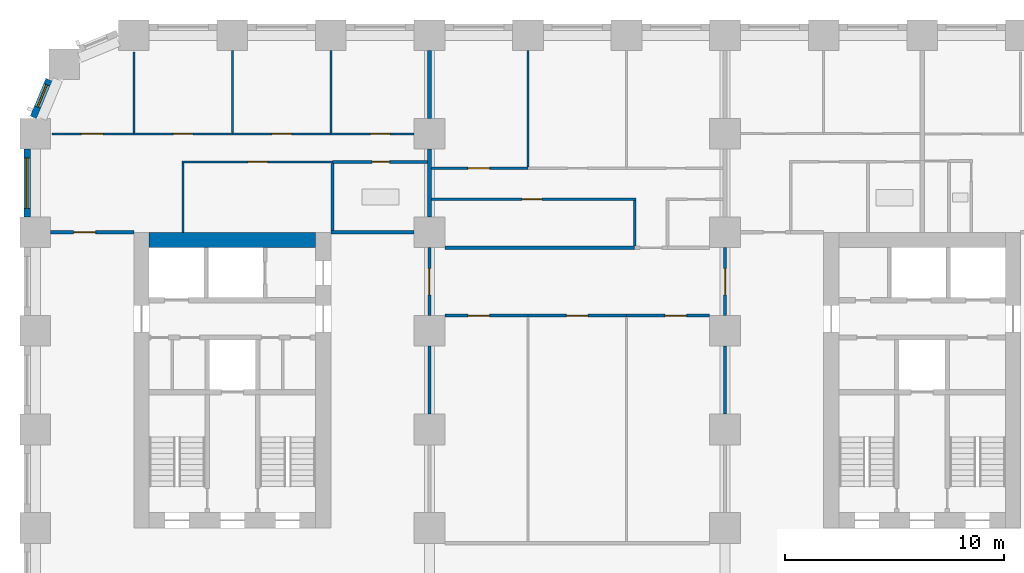
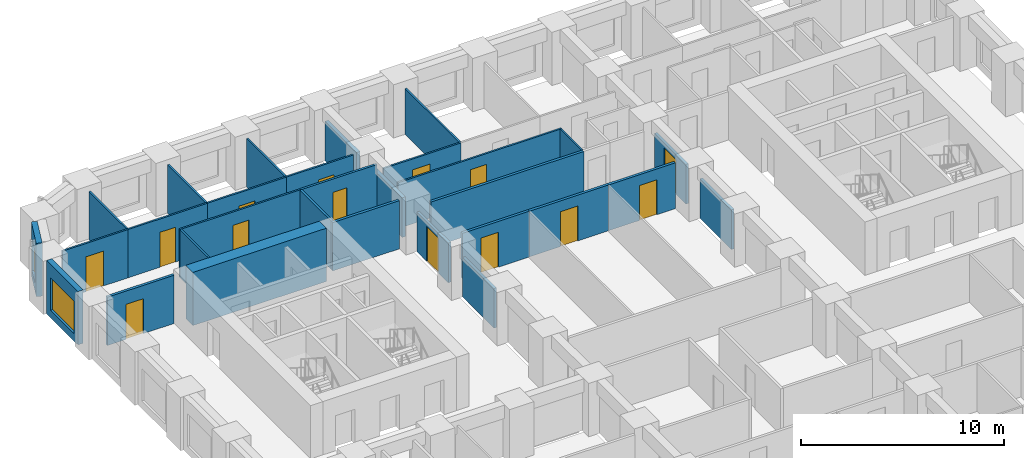
# One storey, part 7 of 13: 30 walls, 14 doors, 2 windows, 16 openings.
"""IFC4 building model written with IfcOpenShell, lengths in metres."""

from ifc_helpers import new_model, si_unit, direction, frame, frame_2d, origin, place, context, subcontext, project, spatial, rectangle, extrude, material, layer, layer_set, type_object, element, fill, save


model = new_model("IFC4")

# Units and contexts
model_context = context("Model", 3, precision=1e-05, world=origin(), true_north=direction((0.0, 1.0)))
body_context = subcontext(model_context, "Body", "Model", "MODEL_VIEW")
ifc_project = project(units=[si_unit("LENGTHUNIT", "METRE"), si_unit("AREAUNIT", "SQUARE_METRE"), si_unit("VOLUMEUNIT", "CUBIC_METRE"), si_unit("PLANEANGLEUNIT", "RADIAN"), si_unit("MASSUNIT", "GRAM", prefix="KILO")], contexts=[model_context])

# Site, building, storey
site_placement = place(None, origin())
site = spatial("IfcSite", under=ifc_project, at=site_placement, CompositionType="ELEMENT")
building_placement = place(site_placement, origin())
building = spatial("IfcBuilding", under=site, at=building_placement, Name="Girih Gate Residences", CompositionType="ELEMENT")
storey_placement = place(building_placement, frame((0.0, 0.0, 46.39990234375)))
storey = spatial("IfcBuildingStorey", under=building, at=storey_placement, Name="L11", CompositionType="ELEMENT", Elevation=46.39990234375)

# Wall
ifc_material_1 = material(Name="Gypsum board on steel studs", Category="steel")
ifc_layer_1 = layer(ifc_material_1, 0.14990234375)
ifc_layer_set_1 = layer_set([ifc_layer_1], Name="Compartment wall 150 mm")
wall_type_1 = type_object("IfcWallType", Name="Compartment wall 150 mm", PredefinedType="PARTITIONING", material=ifc_layer_set_1)
wall_1_placement = place(storey_placement, frame((13.5107421875, 40.5, 0.0), z_axis=(0.0, 0.0, 1.0), x_axis=(1.0, 0.0, 0.0)))
element("IfcWall", 1, at=wall_1_placement, inside=storey, type_object=wall_type_1, Name="L11 partition", PredefinedType="PARTITIONING", context=body_context, shape_type="SweptSolid", body=[
    extrude(rectangle(XDim=3.789306640625, YDim=0.14990234375, at=frame_2d((1.89453125, 0.0))), origin(), (0.0, 0.0, 1.0), 2.900146484375),
])

# Wall, opening, door
wall_2_placement = place(storey_placement, frame((0.699951171875, 40.5, 0.0), z_axis=(0.0, 0.0, 1.0), x_axis=(1.0, 0.0, 0.0)))
wall_2 = element("IfcWall", 2, at=wall_2_placement, inside=storey, type_object=wall_type_1, Name="L11 partition", PredefinedType="PARTITIONING", context=body_context, shape_type="SweptSolid", body=[
    extrude(rectangle(XDim=3.800048828125, YDim=0.14990234375, at=frame_2d((1.89990234375, 0.0))), origin(), (0.0, 0.0, 1.0), 2.900146484375),
])
opening_1_placement = place(wall_2_placement, frame((1.050048828125, 0.0, 0.0)))
opening_1 = element("IfcOpeningElement", 3, at=opening_1_placement, cuts=wall_2, Name="Opening A11-017", PredefinedType="OPENING", context=body_context, shape_type="SweptSolid", body=[
    extrude(rectangle(XDim=1.0, YDim=2.10009765625, at=frame_2d((0.5, 1.050048828125))), frame((0.0, 0.0849609375, 0.0), z_axis=(0.0, -1.0, 0.0), x_axis=(1.0, 0.0, 0.0)), (0.0, 0.0, 1.0), 0.169921875),
])
ifc_material_2 = material(Name="Timber, fire-rated core", Category="wood")
door_type_1 = type_object("IfcDoorType", Name="Flat entrance door 1000x2100 FD30S", OperationType="NOTDEFINED", PredefinedType="DOOR", material=ifc_material_2)
door_1_placement = place(opening_1_placement, origin())
door_1 = element("IfcDoor", 4, at=door_1_placement, inside=storey, type_object=door_type_1, Name="Door A11-017", OperationType="SINGLE_SWING_LEFT", OverallHeight=2.10009765625, OverallWidth=1.0, PredefinedType="DOOR", context=body_context, shape_type="SweptSolid", body=[
    extrude(rectangle(XDim=1.0, YDim=2.10009765625, at=frame_2d((0.5, 1.050048828125))), frame((0.0, 0.02490234375, 0.0), z_axis=(0.0, -1.0, 0.0), x_axis=(1.0, 0.0, 0.0)), (0.0, 0.0, 1.0), 0.050048828125),
])
fill(opening_1, door_1)

# Wall
wall_3_placement = place(storey_placement, frame((18.699951171875, 39.800048828125, 0.0), z_axis=(0.0, 0.0, 1.0), x_axis=(1.0, 0.0, 0.0)))
element("IfcWall", 5, at=wall_3_placement, inside=storey, type_object=wall_type_1, Name="L11 partition", PredefinedType="PARTITIONING", context=body_context, shape_type="SweptSolid", body=[
    extrude(rectangle(XDim=8.675048828125, YDim=0.14990234375, at=frame_2d((4.33740234375, 0.0))), origin(), (0.0, 0.0, 1.0), 2.75),
])

# Wall, opening, door
wall_4_placement = place(storey_placement, frame((22.5, 36.699951171875, 0.0), z_axis=(0.0, 0.0, 1.0), x_axis=(-1.0, 0.0, 0.0)))
wall_4 = element("IfcWall", 6, at=wall_4_placement, inside=storey, type_object=wall_type_1, Name="L11 partition", PredefinedType="PARTITIONING", context=body_context, shape_type="SweptSolid", body=[
    extrude(rectangle(XDim=3.800048828125, YDim=0.14990234375, at=frame_2d((1.89990234375, 0.0))), origin(), (0.0, 0.0, 1.0), 2.75),
])
opening_2_placement = place(wall_4_placement, frame((1.75, 0.0, 0.0)))
opening_2 = element("IfcOpeningElement", 7, at=opening_2_placement, cuts=wall_4, Name="Opening A11-044", PredefinedType="OPENING", context=body_context, shape_type="SweptSolid", body=[
    extrude(rectangle(XDim=1.0, YDim=2.10009765625, at=frame_2d((0.5, 1.050048828125))), frame((0.0, 0.0849609375, 0.0), z_axis=(0.0, -1.0, 0.0), x_axis=(1.0, 0.0, 0.0)), (0.0, 0.0, 1.0), 0.169921875),
])
door_type_2 = type_object("IfcDoorType", Name="Amenity room door 1000x2100 FD30S", OperationType="NOTDEFINED", PredefinedType="DOOR", material=ifc_material_2)
door_2_placement = place(opening_2_placement, origin())
door_2 = element("IfcDoor", 8, at=door_2_placement, inside=storey, type_object=door_type_2, Name="Door A11-044", OperationType="SINGLE_SWING_RIGHT", OverallHeight=2.10009765625, OverallWidth=1.0, PredefinedType="DOOR", context=body_context, shape_type="SweptSolid", body=[
    extrude(rectangle(XDim=1.0, YDim=2.10009765625, at=frame_2d((0.5, 1.050048828125))), frame((0.0, 0.02490234375, 0.0), z_axis=(0.0, -1.0, 0.0), x_axis=(1.0, 0.0, 0.0)), (0.0, 0.0, 1.0), 0.050048828125),
])
fill(opening_2, door_2)

wall_5_placement = place(storey_placement, frame((27.0, 36.699951171875, 0.0), z_axis=(0.0, 0.0, 1.0), x_axis=(-1.0, 0.0, 0.0)))
wall_5 = element("IfcWall", 9, at=wall_5_placement, inside=storey, type_object=wall_type_1, Name="L11 partition", PredefinedType="PARTITIONING", context=body_context, shape_type="SweptSolid", body=[
    extrude(rectangle(XDim=4.5, YDim=0.14990234375, at=frame_2d((2.25, 0.0))), origin(), (0.0, 0.0, 1.0), 2.75),
])
opening_3_placement = place(wall_5_placement, frame((1.75, 0.0, 0.0)))
opening_3 = element("IfcOpeningElement", 10, at=opening_3_placement, cuts=wall_5, Name="Opening A11-045", PredefinedType="OPENING", context=body_context, shape_type="SweptSolid", body=[
    extrude(rectangle(XDim=1.0, YDim=2.10009765625, at=frame_2d((0.5, 1.050048828125))), frame((0.0, 0.0849609375, 0.0), z_axis=(0.0, -1.0, 0.0), x_axis=(1.0, 0.0, 0.0)), (0.0, 0.0, 1.0), 0.169921875),
])
door_3_placement = place(opening_3_placement, origin())
door_3 = element("IfcDoor", 11, at=door_3_placement, inside=storey, type_object=door_type_2, Name="Door A11-045", OperationType="SINGLE_SWING_RIGHT", OverallHeight=2.10009765625, OverallWidth=1.0, PredefinedType="DOOR", context=body_context, shape_type="SweptSolid", body=[
    extrude(rectangle(XDim=1.0, YDim=2.10009765625, at=frame_2d((0.5, 1.050048828125))), frame((0.0, 0.02490234375, 0.0), z_axis=(0.0, -1.0, 0.0), x_axis=(1.0, 0.0, 0.0)), (0.0, 0.0, 1.0), 0.050048828125),
])
fill(opening_3, door_3)

wall_6_placement = place(storey_placement, frame((30.800048828125, 36.699951171875, 0.0), z_axis=(0.0, 0.0, 1.0), x_axis=(-1.0, 0.0, 0.0)))
wall_6 = element("IfcWall", 12, at=wall_6_placement, inside=storey, type_object=wall_type_1, Name="L11 partition", PredefinedType="PARTITIONING", context=body_context, shape_type="SweptSolid", body=[
    extrude(rectangle(XDim=3.800048828125, YDim=0.14990234375, at=frame_2d((1.89990234375, 0.0))), origin(), (0.0, 0.0, 1.0), 2.75),
])
opening_4_placement = place(wall_6_placement, frame((1.050048828125, 0.0, 0.0)))
opening_4 = element("IfcOpeningElement", 13, at=opening_4_placement, cuts=wall_6, Name="Opening A11-046", PredefinedType="OPENING", context=body_context, shape_type="SweptSolid", body=[
    extrude(rectangle(XDim=1.0, YDim=2.10009765625, at=frame_2d((0.5, 1.050048828125))), frame((0.0, 0.0849609375, 0.0), z_axis=(0.0, -1.0, 0.0), x_axis=(1.0, 0.0, 0.0)), (0.0, 0.0, 1.0), 0.169921875),
])
door_4_placement = place(opening_4_placement, origin())
door_4 = element("IfcDoor", 14, at=door_4_placement, inside=storey, type_object=door_type_2, Name="Door A11-046", OperationType="SINGLE_SWING_LEFT", OverallHeight=2.10009765625, OverallWidth=1.0, PredefinedType="DOOR", context=body_context, shape_type="SweptSolid", body=[
    extrude(rectangle(XDim=1.0, YDim=2.10009765625, at=frame_2d((0.5, 1.050048828125))), frame((0.0, 0.02490234375, 0.0), z_axis=(0.0, -1.0, 0.0), x_axis=(1.0, 0.0, 0.0)), (0.0, 0.0, 1.0), 0.050048828125),
])
fill(opening_4, door_4)

wall_7_placement = place(storey_placement, frame((31.5, 36.699951171875, 0.0), z_axis=(0.0, 0.0, 1.0), x_axis=(0.0, 1.0, 0.0)))
wall_7 = element("IfcWall", 15, at=wall_7_placement, inside=storey, type_object=wall_type_1, Name="L11 partition", PredefinedType="PARTITIONING", context=body_context, shape_type="SweptSolid", body=[
    extrude(rectangle(XDim=3.10009765625, YDim=0.14990234375, at=frame_2d((1.550048828125, 0.0))), origin(), (0.0, 0.0, 1.0), 2.380126953125),
])
opening_5_placement = place(wall_7_placement, frame((0.949951171875, 0.0, 0.0)))
opening_5 = element("IfcOpeningElement", 16, at=opening_5_placement, cuts=wall_7, Name="Opening A11-047", PredefinedType="OPENING", context=body_context, shape_type="SweptSolid", body=[
    extrude(rectangle(XDim=1.199951171875, YDim=2.10009765625, at=frame_2d((0.60009765625, 1.050048828125))), frame((0.0, 0.0849609375, 0.0), z_axis=(0.0, -1.0, 0.0), x_axis=(1.0, 0.0, 0.0)), (0.0, 0.0, 1.0), 0.169921875),
])
door_type_3 = type_object("IfcDoorType", Name="Corridor fire door 1200x2100 FD30S", OperationType="NOTDEFINED", PredefinedType="DOOR", material=ifc_material_2)
door_5_placement = place(opening_5_placement, origin())
door_5 = element("IfcDoor", 17, at=door_5_placement, inside=storey, type_object=door_type_3, Name="Door A11-047", OperationType="SINGLE_SWING_LEFT", OverallHeight=2.10009765625, OverallWidth=1.199951171875, PredefinedType="DOOR", context=body_context, shape_type="SweptSolid", body=[
    extrude(rectangle(XDim=1.199951171875, YDim=2.10009765625, at=frame_2d((0.60009765625, 1.050048828125))), frame((0.0, 0.02490234375, 0.0), z_axis=(0.0, -1.0, 0.0), x_axis=(1.0, 0.0, 0.0)), (0.0, 0.0, 1.0), 0.050048828125),
])
fill(opening_5, door_5)

wall_8_placement = place(storey_placement, frame((18.0, 39.800048828125, 0.0), z_axis=(0.0, 0.0, 1.0), x_axis=(0.0, -1.0, 0.0)))
wall_8 = element("IfcWall", 18, at=wall_8_placement, inside=storey, type_object=wall_type_1, Name="L11 partition", PredefinedType="PARTITIONING", context=body_context, shape_type="SweptSolid", body=[
    extrude(rectangle(XDim=3.10009765625, YDim=0.14990234375, at=frame_2d((1.550048828125, 0.0))), origin(), (0.0, 0.0, 1.0), 2.380126953125),
])
opening_6_placement = place(wall_8_placement, frame((0.949951171875, 0.0, 0.0)))
opening_6 = element("IfcOpeningElement", 19, at=opening_6_placement, cuts=wall_8, Name="Opening A11-048", PredefinedType="OPENING", context=body_context, shape_type="SweptSolid", body=[
    extrude(rectangle(XDim=1.199951171875, YDim=2.10009765625, at=frame_2d((0.60009765625, 1.050048828125))), frame((0.0, 0.0849609375, 0.0), z_axis=(0.0, -1.0, 0.0), x_axis=(1.0, 0.0, 0.0)), (0.0, 0.0, 1.0), 0.169921875),
])
door_6_placement = place(opening_6_placement, origin())
door_6 = element("IfcDoor", 20, at=door_6_placement, inside=storey, type_object=door_type_3, Name="Door A11-048", OperationType="SINGLE_SWING_LEFT", OverallHeight=2.10009765625, OverallWidth=1.199951171875, PredefinedType="DOOR", context=body_context, shape_type="SweptSolid", body=[
    extrude(rectangle(XDim=1.199951171875, YDim=2.10009765625, at=frame_2d((0.60009765625, 1.050048828125))), frame((0.0, 0.02490234375, 0.0), z_axis=(0.0, -1.0, 0.0), x_axis=(1.0, 0.0, 0.0)), (0.0, 0.0, 1.0), 0.050048828125),
])
fill(opening_6, door_6)

# Walls
for number, where, z_axis, x_axis, name in (
    (21, (18.0, 32.199951171875, 0.0), (0.0, 0.0, 1.0), (0.0, 1.0, 0.0), "L11 partition"),
    (22, (31.5, 32.199951171875, 0.0), (0.0, 0.0, 1.0), (0.0, 1.0, 0.0), "L11 partition"),
):
    element("IfcWall", number, at=place(storey_placement, frame(where, z_axis=z_axis, x_axis=x_axis)), inside=storey, type_object=wall_type_1, Name=name, PredefinedType="PARTITIONING", context=body_context, shape_type="SweptSolid", body=[
        extrude(rectangle(XDim=3.10009765625, YDim=0.14990234375, at=frame_2d((1.550048828125, 0.0))), origin(), (0.0, 0.0, 1.0), 2.380126953125),
    ])
ifc_material_3 = material(Name="Concrete C60/75", Category="concrete")
ifc_layer_2 = layer(ifc_material_3, 0.699951171875)
ifc_layer_set_2 = layer_set([ifc_layer_2], Name="Core wall RC 700 Concrete C60/75")
wall_type_2 = type_object("IfcWallType", Name="Core wall RC 700 Concrete C60/75", PredefinedType="SOLIDWALL", material=ifc_layer_set_2)
wall_9_placement = place(storey_placement, frame((5.199951171875, 40.14990234375, 0.0), z_axis=(0.0, 0.0, 1.0), x_axis=(1.0, 0.0, 0.0)))
element("IfcWall", 23, at=wall_9_placement, inside=storey, type_object=wall_type_2, Name="Core wall W-N L11", PredefinedType="SOLIDWALL", context=body_context, shape_type="SweptSolid", body=[
    extrude(rectangle(XDim=7.60009765625, YDim=0.699951171875, at=frame_2d((3.800048828125, 0.0))), origin(), (0.0, 0.0, 1.0), 3.2001953125),
])
ifc_layer_3 = layer(ifc_material_1, 0.10009765625)
ifc_layer_set_3 = layer_set([ifc_layer_3], Name="Partition 100 mm")
wall_type_3 = type_object("IfcWallType", Name="Partition 100 mm", PredefinedType="PARTITIONING", material=ifc_layer_set_3)
wall_10_placement = place(storey_placement, frame((9.0, 45.050048828125, 0.0), z_axis=(0.0, 0.0, 1.0), x_axis=(0.0, 1.0, 0.0)))
element("IfcWall", 24, at=wall_10_placement, inside=storey, type_object=wall_type_3, Name="L11 partition", PredefinedType="PARTITIONING", context=body_context, shape_type="SweptSolid", body=[
    extrude(rectangle(XDim=3.75, YDim=0.10009765625, at=frame_2d((1.875, 0.0))), origin(), (0.0, 0.0, 1.0), 2.900146484375),
])

# Wall, opening, door
wall_11_placement = place(storey_placement, frame((4.5, 45.0, 0.0), z_axis=(0.0, 0.0, 1.0), x_axis=(1.0, 0.0, 0.0)))
wall_11 = element("IfcWall", 25, at=wall_11_placement, inside=storey, type_object=wall_type_3, Name="L11 partition", PredefinedType="PARTITIONING", context=body_context, shape_type="SweptSolid", body=[
    extrude(rectangle(XDim=4.5, YDim=0.10009765625, at=frame_2d((2.25, 0.0))), origin(), (0.0, 0.0, 1.0), 2.900146484375),
])
opening_7_placement = place(wall_11_placement, frame((1.800048828125, 0.0, 0.0)))
opening_7 = element("IfcOpeningElement", 26, at=opening_7_placement, cuts=wall_11, Name="Opening A11-012", PredefinedType="OPENING", context=body_context, shape_type="SweptSolid", body=[
    extrude(rectangle(XDim=0.89990234375, YDim=2.10009765625, at=frame_2d((0.449951171875, 1.050048828125))), frame((0.0, 0.06005859375, 0.0), z_axis=(0.0, -1.0, 0.0), x_axis=(1.0, 0.0, 0.0)), (0.0, 0.0, 1.0), 0.1201171875),
])
ifc_material_4 = material(Name="Timber", Category="wood")
door_type_4 = type_object("IfcDoorType", Name="Bedroom door 900x2100", OperationType="NOTDEFINED", PredefinedType="DOOR", material=ifc_material_4)
door_7_placement = place(opening_7_placement, origin())
door_7 = element("IfcDoor", 27, at=door_7_placement, inside=storey, type_object=door_type_4, Name="Door A11-012", OperationType="SINGLE_SWING_RIGHT", OverallHeight=2.10009765625, OverallWidth=0.89990234375, PredefinedType="DOOR", context=body_context, shape_type="SweptSolid", body=[
    extrude(rectangle(XDim=0.89990234375, YDim=2.10009765625, at=frame_2d((0.449951171875, 1.050048828125))), frame((0.0, 0.02490234375, 0.0), z_axis=(0.0, -1.0, 0.0), x_axis=(1.0, 0.0, 0.0)), (0.0, 0.0, 1.0), 0.050048828125),
])
fill(opening_7, door_7)

# Walls
wall_12_placement = place(storey_placement, frame((4.5, 45.050048828125, 0.0), z_axis=(0.0, 0.0, 1.0), x_axis=(0.0, 1.0, 0.0)))
element("IfcWall", 28, at=wall_12_placement, inside=storey, type_object=wall_type_3, Name="L11 partition", PredefinedType="PARTITIONING", context=body_context, shape_type="SweptSolid", body=[
    extrude(rectangle(XDim=3.6923828125, YDim=0.10009765625, at=frame_2d((1.84619140625, 0.0))), origin(), (0.0, 0.0, 1.0), 2.900146484375),
])
wall_13_placement = place(storey_placement, frame((13.5, 45.050048828125, 0.0), z_axis=(0.0, 0.0, 1.0), x_axis=(0.0, 1.0, 0.0)))
element("IfcWall", 29, at=wall_13_placement, inside=storey, type_object=wall_type_3, Name="L11 partition", PredefinedType="PARTITIONING", context=body_context, shape_type="SweptSolid", body=[
    extrude(rectangle(XDim=3.75, YDim=0.10009765625, at=frame_2d((1.875, 0.0))), origin(), (0.0, 0.0, 1.0), 2.900146484375),
])

# Wall, opening, door
wall_14_placement = place(storey_placement, frame((9.0, 45.0, 0.0), z_axis=(0.0, 0.0, 1.0), x_axis=(1.0, 0.0, 0.0)))
wall_14 = element("IfcWall", 30, at=wall_14_placement, inside=storey, type_object=wall_type_3, Name="L11 partition", PredefinedType="PARTITIONING", context=body_context, shape_type="SweptSolid", body=[
    extrude(rectangle(XDim=4.5, YDim=0.10009765625, at=frame_2d((2.25, 0.0))), origin(), (0.0, 0.0, 1.0), 2.900146484375),
])
opening_8_placement = place(wall_14_placement, frame((1.800048828125, 0.0, 0.0)))
opening_8 = element("IfcOpeningElement", 31, at=opening_8_placement, cuts=wall_14, Name="Opening A11-013", PredefinedType="OPENING", context=body_context, shape_type="SweptSolid", body=[
    extrude(rectangle(XDim=0.89990234375, YDim=2.10009765625, at=frame_2d((0.449951171875, 1.050048828125))), frame((0.0, 0.06005859375, 0.0), z_axis=(0.0, -1.0, 0.0), x_axis=(1.0, 0.0, 0.0)), (0.0, 0.0, 1.0), 0.1201171875),
])
door_8_placement = place(opening_8_placement, origin())
door_8 = element("IfcDoor", 32, at=door_8_placement, inside=storey, type_object=door_type_4, Name="Door A11-013", OperationType="SINGLE_SWING_LEFT", OverallHeight=2.10009765625, OverallWidth=0.89990234375, PredefinedType="DOOR", context=body_context, shape_type="SweptSolid", body=[
    extrude(rectangle(XDim=0.89990234375, YDim=2.10009765625, at=frame_2d((0.449951171875, 1.050048828125))), frame((0.0, 0.02490234375, 0.0), z_axis=(0.0, -1.0, 0.0), x_axis=(1.0, 0.0, 0.0)), (0.0, 0.0, 1.0), 0.050048828125),
])
fill(opening_8, door_8)

wall_15_placement = place(storey_placement, frame((13.5, 45.0, 0.0), z_axis=(0.0, 0.0, 1.0), x_axis=(1.0, 0.0, 0.0)))
wall_15 = element("IfcWall", 33, at=wall_15_placement, inside=storey, type_object=wall_type_3, Name="L11 partition", PredefinedType="PARTITIONING", context=body_context, shape_type="SweptSolid", body=[
    extrude(rectangle(XDim=3.800048828125, YDim=0.10009765625, at=frame_2d((1.89990234375, 0.0))), origin(), (0.0, 0.0, 1.0), 2.900146484375),
])
opening_9_placement = place(wall_15_placement, frame((1.800048828125, 0.0, 0.0)))
opening_9 = element("IfcOpeningElement", 34, at=opening_9_placement, cuts=wall_15, Name="Opening A11-014", PredefinedType="OPENING", context=body_context, shape_type="SweptSolid", body=[
    extrude(rectangle(XDim=0.89990234375, YDim=2.10009765625, at=frame_2d((0.449951171875, 1.050048828125))), frame((0.0, 0.06005859375, 0.0), z_axis=(0.0, -1.0, 0.0), x_axis=(1.0, 0.0, 0.0)), (0.0, 0.0, 1.0), 0.1201171875),
])
door_9_placement = place(opening_9_placement, origin())
door_9 = element("IfcDoor", 35, at=door_9_placement, inside=storey, type_object=door_type_4, Name="Door A11-014", OperationType="SINGLE_SWING_RIGHT", OverallHeight=2.10009765625, OverallWidth=0.89990234375, PredefinedType="DOOR", context=body_context, shape_type="SweptSolid", body=[
    extrude(rectangle(XDim=0.89990234375, YDim=2.10009765625, at=frame_2d((0.449951171875, 1.050048828125))), frame((0.0, 0.02490234375, 0.0), z_axis=(0.0, -1.0, 0.0), x_axis=(1.0, 0.0, 0.0)), (0.0, 0.0, 1.0), 0.050048828125),
])
fill(opening_9, door_9)

wall_16_placement = place(storey_placement, frame((13.5732421875, 43.719970703125, 0.0), z_axis=(0.0, 0.0, 1.0), x_axis=(-1.0, 0.0, 0.0)))
wall_16 = element("IfcWall", 36, at=wall_16_placement, inside=storey, type_object=wall_type_3, Name="L11 partition", PredefinedType="PARTITIONING", context=body_context, shape_type="SweptSolid", body=[
    extrude(rectangle(XDim=6.873291015625, YDim=0.10009765625, at=frame_2d((3.4365234375, 0.0))), origin(), (0.0, 0.0, 1.0), 2.900146484375),
])
opening_10_placement = place(wall_16_placement, frame((2.961669921875, 0.0, 0.0)))
opening_10 = element("IfcOpeningElement", 37, at=opening_10_placement, cuts=wall_16, Name="Opening A11-015", PredefinedType="OPENING", context=body_context, shape_type="SweptSolid", body=[
    extrude(rectangle(XDim=0.89990234375, YDim=2.10009765625, at=frame_2d((0.449951171875, 1.050048828125))), frame((0.0, 0.06005859375, 0.0), z_axis=(0.0, -1.0, 0.0), x_axis=(1.0, 0.0, 0.0)), (0.0, 0.0, 1.0), 0.1201171875),
])
door_type_5 = type_object("IfcDoorType", Name="Kitchen door 900x2100", OperationType="NOTDEFINED", PredefinedType="DOOR", material=ifc_material_4)
door_10_placement = place(opening_10_placement, origin())
door_10 = element("IfcDoor", 38, at=door_10_placement, inside=storey, type_object=door_type_5, Name="Door A11-015", OperationType="SINGLE_SWING_LEFT", OverallHeight=2.10009765625, OverallWidth=0.89990234375, PredefinedType="DOOR", context=body_context, shape_type="SweptSolid", body=[
    extrude(rectangle(XDim=0.89990234375, YDim=2.10009765625, at=frame_2d((0.449951171875, 1.050048828125))), frame((0.0, 0.02490234375, 0.0), z_axis=(0.0, -1.0, 0.0), x_axis=(1.0, 0.0, 0.0)), (0.0, 0.0, 1.0), 0.050048828125),
])
fill(opening_10, door_10)

# Wall
wall_17_placement = place(storey_placement, frame((6.75, 40.5, 0.0), z_axis=(0.0, 0.0, 1.0), x_axis=(0.0, 1.0, 0.0)))
element("IfcWall", 39, at=wall_17_placement, inside=storey, type_object=wall_type_3, Name="L11 partition", PredefinedType="PARTITIONING", context=body_context, shape_type="SweptSolid", body=[
    extrude(rectangle(XDim=3.169921875, YDim=0.10009765625, at=frame_2d((1.5849609375, 0.0))), origin(), (0.0, 0.0, 1.0), 2.900146484375),
])

# Wall, opening, door
wall_18_placement = place(storey_placement, frame((0.757568359375, 45.0, 0.0), z_axis=(0.0, 0.0, 1.0), x_axis=(1.0, 0.0, 0.0)))
wall_18 = element("IfcWall", 40, at=wall_18_placement, inside=storey, type_object=wall_type_3, Name="L11 partition", PredefinedType="PARTITIONING", context=body_context, shape_type="SweptSolid", body=[
    extrude(rectangle(XDim=3.742431640625, YDim=0.10009765625, at=frame_2d((1.87109375, 0.0))), origin(), (0.0, 0.0, 1.0), 2.900146484375),
])
opening_11_placement = place(wall_18_placement, frame((1.34228515625, 0.0, 0.0)))
opening_11 = element("IfcOpeningElement", 41, at=opening_11_placement, cuts=wall_18, Name="Opening A11-016", PredefinedType="OPENING", context=body_context, shape_type="SweptSolid", body=[
    extrude(rectangle(XDim=1.0, YDim=2.10009765625, at=frame_2d((0.5, 1.050048828125))), frame((0.0, 0.06005859375, 0.0), z_axis=(0.0, -1.0, 0.0), x_axis=(1.0, 0.0, 0.0)), (0.0, 0.0, 1.0), 0.1201171875),
])
door_type_6 = type_object("IfcDoorType", Name="Living room door 1000x2100", OperationType="NOTDEFINED", PredefinedType="DOOR", material=ifc_material_4)
door_11_placement = place(opening_11_placement, origin())
door_11 = element("IfcDoor", 42, at=door_11_placement, inside=storey, type_object=door_type_6, Name="Door A11-016", OperationType="SINGLE_SWING_LEFT", OverallHeight=2.10009765625, OverallWidth=1.0, PredefinedType="DOOR", context=body_context, shape_type="SweptSolid", body=[
    extrude(rectangle(XDim=1.0, YDim=2.10009765625, at=frame_2d((0.5, 1.050048828125))), frame((0.0, 0.02490234375, 0.0), z_axis=(0.0, -1.0, 0.0), x_axis=(1.0, 0.0, 0.0)), (0.0, 0.0, 1.0), 0.050048828125),
])
fill(opening_11, door_11)

# Walls
wall_19_placement = place(storey_placement, frame((22.5, 43.47998046875, 0.0), z_axis=(0.0, 0.0, 1.0), x_axis=(0.0, 1.0, 0.0)))
element("IfcWall", 43, at=wall_19_placement, inside=storey, type_object=wall_type_3, Name="L11 partition", PredefinedType="PARTITIONING", context=body_context, shape_type="SweptSolid", body=[
    extrude(rectangle(XDim=5.320068359375, YDim=0.10009765625, at=frame_2d((2.66015625, 0.0))), origin(), (0.0, 0.0, 1.0), 2.75),
])
wall_20_placement = place(storey_placement, frame((27.375, 39.875, 0.0), z_axis=(0.0, 0.0, 1.0), x_axis=(0.0, 1.0, 0.0)))
element("IfcWall", 44, at=wall_20_placement, inside=storey, type_object=wall_type_3, Name="L11 partition", PredefinedType="PARTITIONING", context=body_context, shape_type="SweptSolid", body=[
    extrude(rectangle(XDim=2.0849609375, YDim=0.10009765625, at=frame_2d((1.04248046875, 0.0))), origin(), (0.0, 0.0, 1.0), 2.75),
])

# Wall, opening, door
wall_21_placement = place(storey_placement, frame((27.425048828125, 42.010009765625, 0.0), z_axis=(0.0, 0.0, 1.0), x_axis=(-1.0, 0.0, 0.0)))
wall_21 = element("IfcWall", 45, at=wall_21_placement, inside=storey, type_object=wall_type_3, Name="L11 partition", PredefinedType="PARTITIONING", context=body_context, shape_type="SweptSolid", body=[
    extrude(rectangle(XDim=9.324951171875, YDim=0.10009765625, at=frame_2d((4.66259765625, 0.0))), origin(), (0.0, 0.0, 1.0), 2.75),
])
opening_12_placement = place(wall_21_placement, frame((4.28759765625, 0.0, 0.0)))
opening_12 = element("IfcOpeningElement", 46, at=opening_12_placement, cuts=wall_21, Name="Opening A11-041", PredefinedType="OPENING", context=body_context, shape_type="SweptSolid", body=[
    extrude(rectangle(XDim=0.89990234375, YDim=2.10009765625, at=frame_2d((0.449951171875, 1.050048828125))), frame((0.0, 0.06005859375, 0.0), z_axis=(0.0, -1.0, 0.0), x_axis=(1.0, 0.0, 0.0)), (0.0, 0.0, 1.0), 0.1201171875),
])
door_12_placement = place(opening_12_placement, origin())
door_12 = element("IfcDoor", 47, at=door_12_placement, inside=storey, type_object=door_type_5, Name="Door A11-041", OperationType="SINGLE_SWING_RIGHT", OverallHeight=2.10009765625, OverallWidth=0.89990234375, PredefinedType="DOOR", context=body_context, shape_type="SweptSolid", body=[
    extrude(rectangle(XDim=0.89990234375, YDim=2.10009765625, at=frame_2d((0.449951171875, 1.050048828125))), frame((0.0, 0.02490234375, 0.0), z_axis=(0.0, -1.0, 0.0), x_axis=(1.0, 0.0, 0.0)), (0.0, 0.0, 1.0), 0.050048828125),
])
fill(opening_12, door_12)

wall_22_placement = place(storey_placement, frame((18.10009765625, 43.429931640625, 0.0), z_axis=(0.0, 0.0, 1.0), x_axis=(1.0, 0.0, 0.0)))
wall_22 = element("IfcWall", 48, at=wall_22_placement, inside=storey, type_object=wall_type_3, Name="L11 partition", PredefinedType="PARTITIONING", context=body_context, shape_type="SweptSolid", body=[
    extrude(rectangle(XDim=4.39990234375, YDim=0.10009765625, at=frame_2d((2.199951171875, 0.0))), origin(), (0.0, 0.0, 1.0), 2.75),
])
opening_13_placement = place(wall_22_placement, frame((1.64990234375, 0.0, 0.0)))
opening_13 = element("IfcOpeningElement", 49, at=opening_13_placement, cuts=wall_22, Name="Opening A11-042", PredefinedType="OPENING", context=body_context, shape_type="SweptSolid", body=[
    extrude(rectangle(XDim=1.0, YDim=2.10009765625, at=frame_2d((0.5, 1.050048828125))), frame((0.0, 0.06005859375, 0.0), z_axis=(0.0, -1.0, 0.0), x_axis=(1.0, 0.0, 0.0)), (0.0, 0.0, 1.0), 0.1201171875),
])
door_13_placement = place(opening_13_placement, origin())
door_13 = element("IfcDoor", 50, at=door_13_placement, inside=storey, type_object=door_type_6, Name="Door A11-042", OperationType="SINGLE_SWING_LEFT", OverallHeight=2.10009765625, OverallWidth=1.0, PredefinedType="DOOR", context=body_context, shape_type="SweptSolid", body=[
    extrude(rectangle(XDim=1.0, YDim=2.10009765625, at=frame_2d((0.5, 1.050048828125))), frame((0.0, 0.02490234375, 0.0), z_axis=(0.0, -1.0, 0.0), x_axis=(1.0, 0.0, 0.0)), (0.0, 0.0, 1.0), 0.050048828125),
])
fill(opening_13, door_13)

# Walls
ifc_layer_4 = layer(ifc_material_1, 0.199951171875)
ifc_layer_set_4 = layer_set([ifc_layer_4], Name="Party wall 200 mm")
wall_type_4 = type_object("IfcWallType", Name="Party wall 200 mm", PredefinedType="PARTITIONING", material=ifc_layer_set_4)
for number, where, z_axis, x_axis, name in (
    (51, (18.0, 41.199951171875, 0.0), (0.0, 0.0, 1.0), (0.0, 1.0, 0.0), "L11 partition"),
    (52, (18.0, 45.699951171875, 0.0), (0.0, 0.0, 1.0), (0.0, 1.0, 0.0), "L11 partition"),
):
    element("IfcWall", number, at=place(storey_placement, frame(where, z_axis=z_axis, x_axis=x_axis)), inside=storey, type_object=wall_type_4, Name=name, PredefinedType="PARTITIONING", context=body_context, shape_type="SweptSolid", body=[
        extrude(rectangle(XDim=3.10009765625, YDim=0.199951171875, at=frame_2d((1.550048828125, 0.0))), origin(), (0.0, 0.0, 1.0), 2.380126953125),
    ])

# Wall, opening, window
ifc_material_5 = material(Name="Precast concrete C50/60", Category="concrete")
ifc_layer_5 = layer(ifc_material_5, 0.080078125, Name="Outer leaf")
ifc_material_6 = material(Name="Rigid PIR insulation")
ifc_layer_6 = layer(ifc_material_6, 0.14990234375, Name="Insulation")
ifc_material_7 = material(Name="Precast concrete C40/50", Category="concrete")
ifc_layer_7 = layer(ifc_material_7, 0.070068359375, Name="Inner leaf")
ifc_layer_set_5 = layer_set([ifc_layer_5, ifc_layer_6, ifc_layer_7], Name="Precast concrete C50/60 external wall 300")
wall_type_5 = type_object("IfcWallType", Name="Precast concrete C50/60 external wall 300", PredefinedType="SOLIDWALL", material=ifc_layer_set_5)
wall_23_placement = place(storey_placement, frame((-0.09228515625, 45.75732421875, 0.0), z_axis=(0.0, 0.0, 1.0), x_axis=(0.382737135771, 0.923857286003, 0.0)))
wall_23 = element("IfcWall", 53, at=wall_23_placement, inside=storey, type_object=wall_type_5, Name="External wall NW0013_0482.0", PredefinedType="SOLIDWALL", context=body_context, shape_type="SweptSolid", body=[
    extrude(rectangle(XDim=1.865234375, YDim=0.300048828125, at=frame_2d((0.9326171875, 0.0))), origin(), (0.0, 0.0, 1.0), 3.2001953125),
])
opening_14_placement = place(wall_23_placement, frame((0.507568359375, 0.0, 0.449951171875)))
opening_14 = element("IfcOpeningElement", 54, at=opening_14_placement, cuts=wall_23, Name="Opening W-2C", PredefinedType="OPENING", context=body_context, shape_type="SweptSolid", body=[
    extrude(rectangle(XDim=1.10009765625, YDim=1.949951171875, at=frame_2d((0.550048828125, 0.97509765625))), frame((0.0, 0.159912109375, 0.0), z_axis=(0.0, -1.0, 0.0), x_axis=(1.0, 0.0, 0.0)), (0.0, 0.0, 1.0), 0.320068359375),
])
ifc_material_8 = material(Name="Double glazing in aluminium frame", Category="aluminium")
window_type_1 = type_object("IfcWindowType", Name="Window W-2C 1100x1950", PartitioningType="SINGLE_PANEL", PredefinedType="WINDOW", material=ifc_material_8)
window_1_placement = place(opening_14_placement, origin())
window_1 = element("IfcWindow", 55, at=window_1_placement, inside=storey, type_object=window_type_1, Name="Window W-2C NW0013_0482.0", OverallHeight=1.949951171875, OverallWidth=1.10009765625, PartitioningType="SINGLE_PANEL", PredefinedType="WINDOW", context=body_context, shape_type="SweptSolid", body=[
    extrude(rectangle(XDim=1.10009765625, YDim=1.949951171875, at=frame_2d((0.550048828125, 0.97509765625))), frame((0.0, 0.030029296875, 0.0), z_axis=(0.0, -1.0, 0.0), x_axis=(1.0, 0.0, 0.0)), (0.0, 0.0, 1.0), 0.06005859375),
])
fill(opening_14, window_1)

wall_24_placement = place(storey_placement, frame((-0.375, 41.199951171875, 0.0), z_axis=(0.0, 0.0, 1.0), x_axis=(0.0, 1.0, 0.0)))
wall_24 = element("IfcWall", 56, at=wall_24_placement, inside=storey, type_object=wall_type_5, Name="External wall W0000_0450.0", PredefinedType="SOLIDWALL", context=body_context, shape_type="SweptSolid", body=[
    extrude(rectangle(XDim=3.10009765625, YDim=0.300048828125, at=frame_2d((1.550048828125, 0.0))), origin(), (0.0, 0.0, 1.0), 3.2001953125),
])
opening_15_placement = place(wall_24_placement, frame((0.39990234375, 0.0, 0.449951171875)))
opening_15 = element("IfcOpeningElement", 57, at=opening_15_placement, cuts=wall_24, Name="Opening W-1", PredefinedType="OPENING", context=body_context, shape_type="SweptSolid", body=[
    extrude(rectangle(XDim=2.300048828125, YDim=1.949951171875, at=frame_2d((1.14990234375, 0.97509765625))), frame((0.0, 0.159912109375, 0.0), z_axis=(0.0, -1.0, 0.0), x_axis=(1.0, 0.0, 0.0)), (0.0, 0.0, 1.0), 0.320068359375),
])
window_type_2 = type_object("IfcWindowType", Name="Window W-1 2300x1950", PartitioningType="SINGLE_PANEL", PredefinedType="WINDOW", material=ifc_material_8)
window_2_placement = place(opening_15_placement, origin())
window_2 = element("IfcWindow", 58, at=window_2_placement, inside=storey, type_object=window_type_2, Name="Window W-1 W0000_0450.0", OverallHeight=1.949951171875, OverallWidth=2.300048828125, PartitioningType="SINGLE_PANEL", PredefinedType="WINDOW", context=body_context, shape_type="SweptSolid", body=[
    extrude(rectangle(XDim=2.300048828125, YDim=1.949951171875, at=frame_2d((1.14990234375, 0.97509765625))), frame((0.0, 0.030029296875, 0.0), z_axis=(0.0, -1.0, 0.0), x_axis=(1.0, 0.0, 0.0)), (0.0, 0.0, 1.0), 0.06005859375),
])
fill(opening_15, window_2)

# Wall, opening, door
ifc_layer_8 = layer(ifc_material_1, 0.125)
ifc_layer_set_6 = layer_set([ifc_layer_8], Name="Wet room wall 125 mm")
wall_type_6 = type_object("IfcWallType", Name="Wet room wall 125 mm", PredefinedType="PARTITIONING", material=ifc_layer_set_6)
wall_25_placement = place(storey_placement, frame((17.89990234375, 43.719970703125, 0.0), z_axis=(0.0, 0.0, 1.0), x_axis=(-1.0, 0.0, 0.0)))
wall_25 = element("IfcWall", 59, at=wall_25_placement, inside=storey, type_object=wall_type_6, Name="L11 partition", PredefinedType="PARTITIONING", context=body_context, shape_type="SweptSolid", body=[
    extrude(rectangle(XDim=4.32666015625, YDim=0.125, at=frame_2d((2.163330078125, 0.0))), origin(), (0.0, 0.0, 1.0), 2.900146484375),
])
opening_16_placement = place(wall_25_placement, frame((1.71337890625, 0.0, 0.0)))
opening_16 = element("IfcOpeningElement", 60, at=opening_16_placement, cuts=wall_25, Name="Opening A11-011", PredefinedType="OPENING", context=body_context, shape_type="SweptSolid", body=[
    extrude(rectangle(XDim=0.800048828125, YDim=2.10009765625, at=frame_2d((0.39990234375, 1.050048828125))), frame((0.0, 0.072509765625, 0.0), z_axis=(0.0, -1.0, 0.0), x_axis=(1.0, 0.0, 0.0)), (0.0, 0.0, 1.0), 0.14501953125),
])
door_type_7 = type_object("IfcDoorType", Name="Bathroom door 800x2100", OperationType="NOTDEFINED", PredefinedType="DOOR", material=ifc_material_4)
door_14_placement = place(opening_16_placement, origin())
door_14 = element("IfcDoor", 61, at=door_14_placement, inside=storey, type_object=door_type_7, Name="Door A11-011", OperationType="SINGLE_SWING_LEFT", OverallHeight=2.10009765625, OverallWidth=0.800048828125, PredefinedType="DOOR", context=body_context, shape_type="SweptSolid", body=[
    extrude(rectangle(XDim=0.800048828125, YDim=2.10009765625, at=frame_2d((0.39990234375, 1.050048828125))), frame((0.0, 0.02490234375, 0.0), z_axis=(0.0, -1.0, 0.0), x_axis=(1.0, 0.0, 0.0)), (0.0, 0.0, 1.0), 0.050048828125),
])
fill(opening_16, door_14)

# Wall
wall_26_placement = place(storey_placement, frame((13.572998046875, 40.574951171875, 0.0), z_axis=(0.0, 0.0, 1.0), x_axis=(0.0, 1.0, 0.0)))
element("IfcWall", 62, at=wall_26_placement, inside=storey, type_object=wall_type_6, Name="L11 partition", PredefinedType="PARTITIONING", context=body_context, shape_type="SweptSolid", body=[
    extrude(rectangle(XDim=3.08251953125, YDim=0.125, at=frame_2d((1.541259765625, 0.0))), origin(), (0.0, 0.0, 1.0), 2.900146484375),
])

save(model, "model.ifc")
